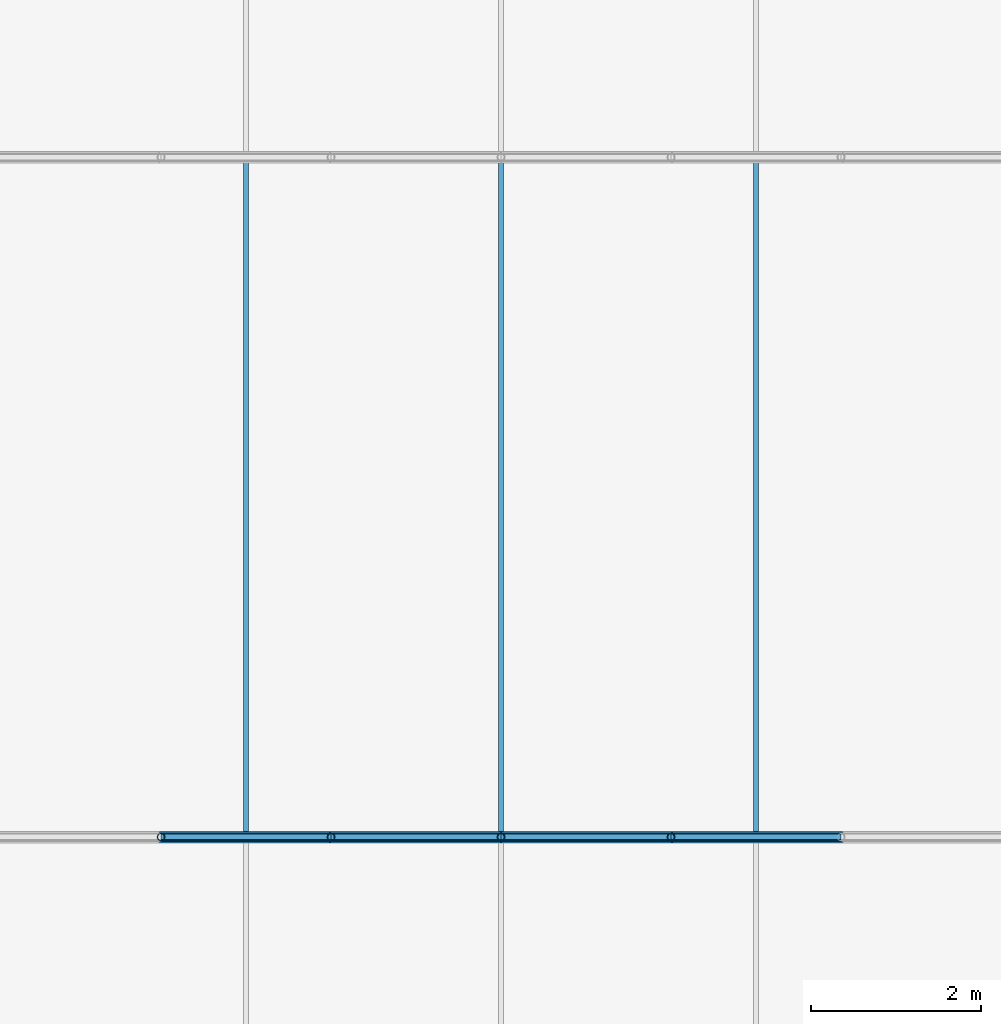
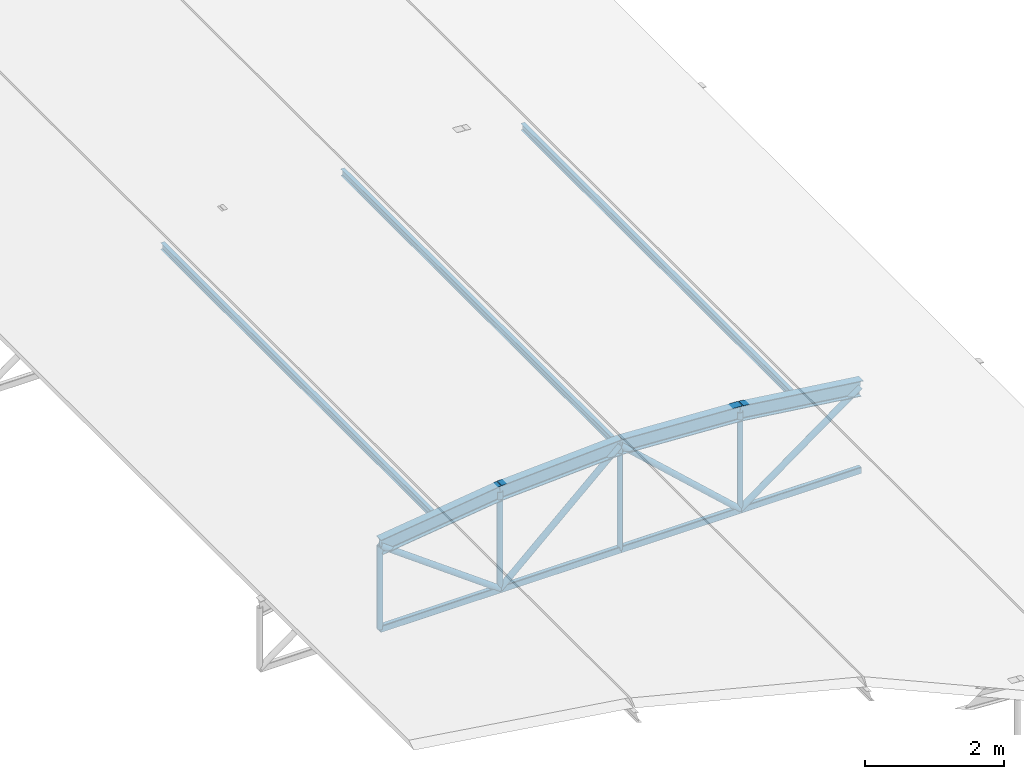
# One storey, part 7 of 54: 19 members.
"""IFC4 building model written with IfcOpenShell, lengths in metres."""

from ifc_helpers import new_model, si_unit, derived_unit, direction, frame, origin, origin_2d, place, context, subcontext, project, spatial, hollow_rectangle, hollow_circle, i_section, extrude, material, material_profile, profile_set, type_object, element, save


model = new_model("IFC4")

# Units and contexts
model_context = context("Model", 3, precision=1e-05, world=origin(), true_north=direction((0.0, 1.0)))
body_context = subcontext(model_context, "Body", "Model", "MODEL_VIEW")
ifc_project = project(units=[si_unit("LENGTHUNIT", "METRE"), si_unit("AREAUNIT", "SQUARE_METRE"), si_unit("VOLUMEUNIT", "CUBIC_METRE"), si_unit("PLANEANGLEUNIT", "RADIAN"), si_unit("MASSUNIT", "GRAM", prefix="KILO"), derived_unit("THERMALTRANSMITTANCEUNIT", [(si_unit("POWERUNIT", "WATT"), 1), (si_unit("LENGTHUNIT", "METRE"), -2), (si_unit("THERMODYNAMICTEMPERATUREUNIT", "KELVIN"), -1)])], contexts=[model_context])

# Site, building, storey
site_placement = place(None, origin())
site = spatial("IfcSite", under=ifc_project, at=site_placement, CompositionType="ELEMENT")
building_placement = place(site_placement, origin())
building = spatial("IfcBuilding", under=site, at=building_placement, Name="Keldorne Ridge Multi-Sports Centre", CompositionType="ELEMENT")
storey_placement = place(building_placement, frame((0.0, 0.0, 22.199951171875)))
storey = spatial("IfcBuildingStorey", under=building, at=storey_placement, Name="ROOF", CompositionType="ELEMENT", Elevation=22.199951171875)

# Members
ifc_material = material(Name="Steel S355", Category="steel")
ifc_material_profile_1 = material_profile(ifc_material, i_section(OverallWidth=0.06396484375, OverallDepth=0.1201171875, WebThickness=0.00439453125, FlangeThickness=0.00634765625, FilletRadius=0.007080078125, at=origin_2d()), Name="IPE 120")
ifc_profile_set_1 = profile_set([ifc_material_profile_1], Name="Steel S355")
member_type_1 = type_object("IfcMemberType", Name="MEM-PR-05", PredefinedType="PURLIN", material=ifc_profile_set_1)
for number, where, z_axis, x_axis, name in (
    (1, (87.0, 14.0, -12.179931640625), (0.0, 1.0, 0.0), (-1.0, 0.0, 0.0), "Public Passage canopy purlin 87.2"),
    (2, (90.0, 14.0, -11.929931640625), (0.0, 1.0, 0.0), (-1.0, 0.0, 0.0), "Public Passage canopy purlin 90.2"),
    (3, (93.0, 14.0, -12.179931640625), (0.0, 1.0, 0.0), (-1.0, 0.0, 0.0), "Public Passage canopy purlin 93.2"),
):
    element("IfcMember", number, at=place(storey_placement, frame(where, z_axis=z_axis, x_axis=x_axis)), inside=storey, type_object=member_type_1, Name=name, PredefinedType="PURLIN", context=body_context, shape_type="SweptSolid", body=[
        extrude(i_section(OverallWidth=0.06396484375, OverallDepth=0.1201171875, WebThickness=0.00439453125, FlangeThickness=0.00634765625, FilletRadius=0.007080078125, at=origin_2d()), origin(), (0.0, 0.0, 1.0), 8.0),
    ])
ifc_material_profile_2 = material_profile(ifc_material, i_section(OverallWidth=0.135009765625, OverallDepth=0.27001953125, WebThickness=0.006591796875, FlangeThickness=0.01025390625, FilletRadius=0.014892578125, at=origin_2d()), Name="IPE 270")
ifc_profile_set_2 = profile_set([ifc_material_profile_2], Name="Steel S355")
member_type_2 = type_object("IfcMemberType", Name="MEM-RF-02", PredefinedType="RAFTER", material=ifc_profile_set_2)
member_1_placement = place(storey_placement, frame((86.0, 14.0, -12.260009765625), z_axis=(0.991654998325, 0.0, 0.128919991848), x_axis=(0.0, 1.0, 0.0)))
element("IfcMember", 4, at=member_1_placement, inside=storey, type_object=member_type_2, Name="Public Passage bowstring arch top chord 02.2", PredefinedType="RAFTER", context=body_context, shape_type="SweptSolid", body=[
    extrude(i_section(OverallWidth=0.135009765625, OverallDepth=0.27001953125, WebThickness=0.006591796875, FlangeThickness=0.01025390625, FilletRadius=0.014892578125, at=origin_2d()), origin(), (0.0, 0.0, 1.0), 2.016845703125),
])
for number, where, z_axis, x_axis, name in (
    (5, (88.0, 14.0, -12.0), (0.998487980686, 0.0, 0.054970468663), (0.0, 1.0, 0.0), "Public Passage bowstring arch top chord 02.3"),
    (6, (90.0, 14.0, -11.889892578125), (0.998487980686, 0.0, -0.054970468663), (0.0, 1.0, 0.0), "Public Passage bowstring arch top chord 02.4"),
):
    element("IfcMember", number, at=place(storey_placement, frame(where, z_axis=z_axis, x_axis=x_axis)), inside=storey, type_object=member_type_2, Name=name, PredefinedType="RAFTER", context=body_context, shape_type="SweptSolid", body=[
        extrude(i_section(OverallWidth=0.135009765625, OverallDepth=0.27001953125, WebThickness=0.006591796875, FlangeThickness=0.01025390625, FilletRadius=0.014892578125, at=origin_2d()), origin(), (0.0, 0.0, 1.0), 2.0029296875),
    ])
member_2_placement = place(storey_placement, frame((92.0, 14.0, -12.0), z_axis=(0.991654998325, 0.0, -0.128919991848), x_axis=(0.0, 1.0, 0.0)))
element("IfcMember", 7, at=member_2_placement, inside=storey, type_object=member_type_2, Name="Public Passage bowstring arch top chord 02.5", PredefinedType="RAFTER", context=body_context, shape_type="SweptSolid", body=[
    extrude(i_section(OverallWidth=0.135009765625, OverallDepth=0.27001953125, WebThickness=0.006591796875, FlangeThickness=0.01025390625, FilletRadius=0.014892578125, at=origin_2d()), origin(), (0.0, 0.0, 1.0), 2.016845703125),
])
ifc_material_profile_3 = material_profile(ifc_material, hollow_rectangle(XDim=0.080078125, YDim=0.1201171875, WallThickness=0.008056640625, InnerFilletRadius=0.008056640625, OuterFilletRadius=0.01611328125, at=origin_2d()), Name="RHS 120x80x8")
ifc_profile_set_3 = profile_set([ifc_material_profile_3], Name="Steel S355")
member_type_3 = type_object("IfcMemberType", Name="MEM-TC-07", PredefinedType="CHORD", material=ifc_profile_set_3)
for number, where, z_axis, x_axis, name in (
    (8, (86.0, 14.0, -13.719970703125), (1.0, 0.0, 0.0), (0.0, 1.0, 0.0), "Public Passage bowstring tie chord 02.2"),
    (9, (88.0, 14.0, -13.719970703125), (1.0, 0.0, 0.0), (0.0, 1.0, 0.0), "Public Passage bowstring tie chord 02.3"),
    (10, (90.0, 14.0, -13.719970703125), (1.0, 0.0, 0.0), (0.0, 1.0, 0.0), "Public Passage bowstring tie chord 02.4"),
    (11, (92.0, 14.0, -13.719970703125), (1.0, 0.0, 0.0), (0.0, 1.0, 0.0), "Public Passage bowstring tie chord 02.5"),
):
    element("IfcMember", number, at=place(storey_placement, frame(where, z_axis=z_axis, x_axis=x_axis)), inside=storey, type_object=member_type_3, Name=name, PredefinedType="CHORD", context=body_context, shape_type="SweptSolid", body=[
        extrude(hollow_rectangle(XDim=0.080078125, YDim=0.1201171875, WallThickness=0.008056640625, InnerFilletRadius=0.008056640625, OuterFilletRadius=0.01611328125, at=origin_2d()), origin(), (0.0, 0.0, 1.0), 2.0),
    ])
ifc_material_profile_4 = material_profile(ifc_material, hollow_circle(Radius=0.05078125, WallThickness=0.00634765625, at=origin_2d()), Name="CHS 101.6x6.3")
ifc_profile_set_4 = profile_set([ifc_material_profile_4], Name="Steel S355")
member_type_4 = type_object("IfcMemberType", Name="MEM-TD-05", PredefinedType="BRACE", material=ifc_profile_set_4)
member_3_placement = place(storey_placement, frame((86.0, 14.0, -12.260009765625), z_axis=(0.8076945033, 0.0, -0.589601212125), x_axis=(0.0, 1.0, 0.0)))
element("IfcMember", 12, at=member_3_placement, inside=storey, type_object=member_type_4, Name="Public Passage bowstring web diagonal 02.2", PredefinedType="BRACE", context=body_context, shape_type="SweptSolid", body=[
    extrude(hollow_circle(Radius=0.05078125, WallThickness=0.00634765625, at=origin_2d()), origin(), (0.0, 0.0, 1.0), 2.47607421875),
])
for number, where, z_axis, x_axis, name in (
    (13, (88.0, 14.0, -13.719970703125), (0.737751969913, 0.0, 0.675071870907), (0.0, 1.0, 0.0), "Public Passage bowstring web diagonal 02.3"),
    (14, (90.0, 14.0, -11.889892578125), (0.737751969913, 0.0, -0.675071870907), (0.0, 1.0, 0.0), "Public Passage bowstring web diagonal 02.4"),
):
    element("IfcMember", number, at=place(storey_placement, frame(where, z_axis=z_axis, x_axis=x_axis)), inside=storey, type_object=member_type_4, Name=name, PredefinedType="BRACE", context=body_context, shape_type="SweptSolid", body=[
        extrude(hollow_circle(Radius=0.05078125, WallThickness=0.00634765625, at=origin_2d()), origin(), (0.0, 0.0, 1.0), 2.7109375),
    ])
member_4_placement = place(storey_placement, frame((92.0, 14.0, -13.719970703125), z_axis=(0.8076945033, 0.0, 0.589601212125), x_axis=(0.0, 1.0, 0.0)))
element("IfcMember", 15, at=member_4_placement, inside=storey, type_object=member_type_4, Name="Public Passage bowstring web diagonal 02.5", PredefinedType="BRACE", context=body_context, shape_type="SweptSolid", body=[
    extrude(hollow_circle(Radius=0.05078125, WallThickness=0.00634765625, at=origin_2d()), origin(), (0.0, 0.0, 1.0), 2.47607421875),
])
ifc_material_profile_5 = material_profile(ifc_material, hollow_circle(Radius=0.04443359375, WallThickness=0.0048828125, at=origin_2d()), Name="CHS 88.9x5")
ifc_profile_set_5 = profile_set([ifc_material_profile_5], Name="Steel S355")
member_type_5 = type_object("IfcMemberType", Name="MEM-TV-07", PredefinedType="STRUT", material=ifc_profile_set_5)
member_5_placement = place(storey_placement, frame((86.0, 14.0, -13.719970703125), z_axis=(0.0, 0.0, 1.0), x_axis=(1.0, 0.0, 0.0)))
element("IfcMember", 16, at=member_5_placement, inside=storey, type_object=member_type_5, Name="Public Passage bowstring hanger 02.2", PredefinedType="STRUT", context=body_context, shape_type="SweptSolid", body=[
    extrude(hollow_circle(Radius=0.04443359375, WallThickness=0.0048828125, at=origin_2d()), origin(), (0.0, 0.0, 1.0), 1.4599609375),
])
member_6_placement = place(storey_placement, frame((88.0, 14.0, -13.719970703125), z_axis=(0.0, 0.0, 1.0), x_axis=(1.0, 0.0, 0.0)))
element("IfcMember", 17, at=member_6_placement, inside=storey, type_object=member_type_5, Name="Public Passage bowstring hanger 02.3", PredefinedType="STRUT", context=body_context, shape_type="SweptSolid", body=[
    extrude(hollow_circle(Radius=0.04443359375, WallThickness=0.0048828125, at=origin_2d()), origin(), (0.0, 0.0, 1.0), 1.719970703125),
])
member_7_placement = place(storey_placement, frame((90.0, 14.0, -13.719970703125), z_axis=(0.0, 0.0, 1.0), x_axis=(1.0, 0.0, 0.0)))
element("IfcMember", 18, at=member_7_placement, inside=storey, type_object=member_type_5, Name="Public Passage bowstring hanger 02.4", PredefinedType="STRUT", context=body_context, shape_type="SweptSolid", body=[
    extrude(hollow_circle(Radius=0.04443359375, WallThickness=0.0048828125, at=origin_2d()), origin(), (0.0, 0.0, 1.0), 1.830078125),
])
member_8_placement = place(storey_placement, frame((92.0, 14.0, -13.719970703125), z_axis=(0.0, 0.0, 1.0), x_axis=(1.0, 0.0, 0.0)))
element("IfcMember", 19, at=member_8_placement, inside=storey, type_object=member_type_5, Name="Public Passage bowstring hanger 02.5", PredefinedType="STRUT", context=body_context, shape_type="SweptSolid", body=[
    extrude(hollow_circle(Radius=0.04443359375, WallThickness=0.0048828125, at=origin_2d()), origin(), (0.0, 0.0, 1.0), 1.719970703125),
])

save(model, "model.ifc")
